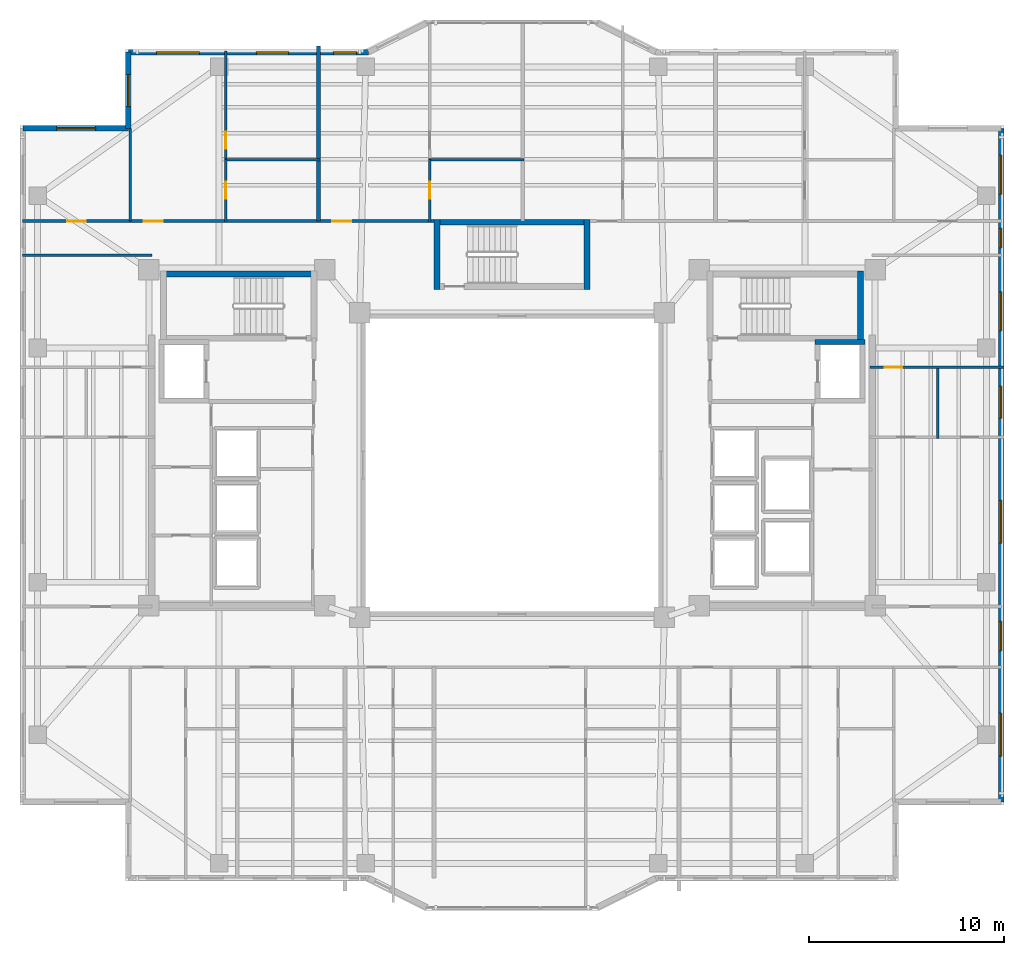
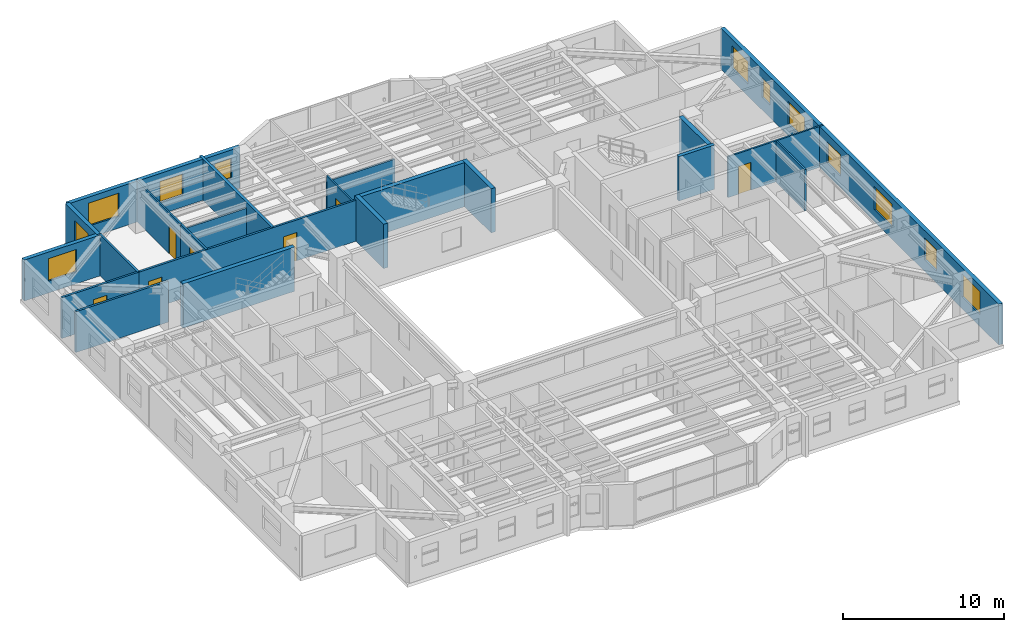
# One storey, part 10 of 16: 22 walls, 12 windows, 7 doors, 19 openings.
"""IFC4 building model written with IfcOpenShell, lengths in metres."""

from ifc_helpers import new_model, si_unit, direction, frame, frame_2d, origin, place, context, subcontext, project, spatial, rectangle, extrude, material, layer, layer_set, type_object, element, fill, save


model = new_model("IFC4")

# Units and contexts
model_context = context("Model", 3, precision=1e-05, world=origin(), true_north=direction((0.0, 1.0)))
body_context = subcontext(model_context, "Body", "Model", "MODEL_VIEW")
ifc_project = project(units=[si_unit("LENGTHUNIT", "METRE"), si_unit("AREAUNIT", "SQUARE_METRE"), si_unit("VOLUMEUNIT", "CUBIC_METRE"), si_unit("PLANEANGLEUNIT", "RADIAN"), si_unit("MASSUNIT", "GRAM", prefix="KILO")], contexts=[model_context])

# Site, building, storey
site_placement = place(None, origin())
site = spatial("IfcSite", under=ifc_project, at=site_placement, CompositionType="ELEMENT")
building_placement = place(site_placement, origin())
building = spatial("IfcBuilding", under=site, at=building_placement, Name="Tarnavaz Court Tower", CompositionType="ELEMENT")
storey_placement = place(building_placement, frame((0.0, 0.0, 135.949951171875)))
storey = spatial("IfcBuildingStorey", under=building, at=storey_placement, Name="L36", CompositionType="ELEMENT", Elevation=135.949951171875)

# Walls
ifc_material_1 = material(Name="Concrete C50/60", Category="concrete")
ifc_layer_1 = layer(ifc_material_1, 0.25)
ifc_layer_set_1 = layer_set([ifc_layer_1], Name="Concrete C50/60")
wall_type_1 = type_object("IfcWallType", Name="WL-CORE-250-C50", PredefinedType="SHEAR", material=ifc_layer_set_1)
wall_1_placement = place(storey_placement, frame((15.52490234375, 6.300048828125, 0.0), z_axis=(0.0, 0.0, 1.0), x_axis=(1.0, 0.0, 0.0)))
element("IfcWall", 1, at=wall_1_placement, inside=storey, type_object=wall_type_1, Name="L36 Lift FL-E1 Shaft Wall 036", PredefinedType="SHEAR", context=body_context, shape_type="SweptSolid", body=[
    extrude(rectangle(XDim=2.550048828125, YDim=0.25, at=frame_2d((1.27490234375, 0.0))), origin(), (0.0, 0.0, 1.0), 3.35009765625),
])
ifc_layer_2 = layer(ifc_material_1, 0.300048828125)
ifc_layer_set_2 = layer_set([ifc_layer_2], Name="Concrete C50/60")
wall_type_2 = type_object("IfcWallType", Name="WL-CORE-300-C50", PredefinedType="SHEAR", material=ifc_layer_set_2)
wall_2_placement = place(storey_placement, frame((-18.0, 9.7900390625, 0.0), z_axis=(0.0, 0.0, 1.0), x_axis=(1.0, 0.0, 0.0)))
element("IfcWall", 2, at=wall_2_placement, inside=storey, type_object=wall_type_2, Name="L36 West Stair Core Wall 001", PredefinedType="SHEAR", context=body_context, shape_type="SweptSolid", body=[
    extrude(rectangle(XDim=8.0, YDim=0.300048828125, at=frame_2d((4.0, 0.0))), origin(), (0.0, 0.0, 1.0), 3.35009765625),
])
wall_3_placement = place(storey_placement, frame((17.85009765625, 6.35009765625, 0.0), z_axis=(0.0, 0.0, 1.0), x_axis=(0.0, 1.0, 0.0)))
element("IfcWall", 3, at=wall_3_placement, inside=storey, type_object=wall_type_2, Name="L36 East Stair Core Wall 008", PredefinedType="SHEAR", context=body_context, shape_type="SweptSolid", body=[
    extrude(rectangle(XDim=3.58984375, YDim=0.300048828125, at=frame_2d((1.794921875, 0.0))), origin(), (0.0, 0.0, 1.0), 3.35009765625),
])
wall_4_placement = place(storey_placement, frame((-4.0, 12.43994140625, 0.0), z_axis=(0.0, 0.0, 1.0), x_axis=(1.0, 0.0, 0.0)))
element("IfcWall", 4, at=wall_4_placement, inside=storey, type_object=wall_type_2, Name="L36 North Stair Core Wall 009", PredefinedType="SHEAR", context=body_context, shape_type="SweptSolid", body=[
    extrude(rectangle(XDim=8.0, YDim=0.300048828125, at=frame_2d((4.0, 0.0))), origin(), (0.0, 0.0, 1.0), 3.35009765625),
])
for number, where, z_axis, x_axis, name in (
    (5, (-3.85009765625, 9.0, 0.0), (0.0, 0.0, 1.0), (0.0, 1.0, 0.0), "L36 North Stair Core Wall 011"),
    (6, (3.85009765625, 9.0, 0.0), (0.0, 0.0, 1.0), (0.0, 1.0, 0.0), "L36 North Stair Core Wall 012"),
):
    element("IfcWall", number, at=place(storey_placement, frame(where, z_axis=z_axis, x_axis=x_axis)), inside=storey, type_object=wall_type_2, Name=name, PredefinedType="SHEAR", context=body_context, shape_type="SweptSolid", body=[
        extrude(rectangle(XDim=3.590087890625, YDim=0.300048828125, at=frame_2d((1.794921875, 0.0))), origin(), (0.0, 0.0, 1.0), 3.35009765625),
    ])

# Wall, opening, window
ifc_material_2 = material(Name="Precast Concrete C40/50", Category="concrete")
ifc_layer_3 = layer(ifc_material_2, 0.280029296875)
ifc_layer_set_3 = layer_set([ifc_layer_3], Name="Precast Concrete C40/50")
wall_type_3 = type_object("IfcWallType", Name="WL-EXT-280", PredefinedType="SOLIDWALL", material=ifc_layer_set_3)
wall_5_placement = place(storey_placement, frame((-25.050048828125, 17.25, 0.0), z_axis=(0.0, 0.0, 1.0), x_axis=(1.0, 0.0, 0.0)))
wall_5 = element("IfcWall", 7, at=wall_5_placement, inside=storey, type_object=wall_type_3, Name="L36 Exterior Terracotta Facade Wall 03", PredefinedType="SOLIDWALL", context=body_context, shape_type="SweptSolid", body=[
    extrude(rectangle(XDim=5.400146484375, YDim=0.280029296875, at=frame_2d((2.7001953125, 0.0))), origin(), (0.0, 0.0, 1.0), 3.10009765625),
])
opening_1_placement = place(wall_5_placement, frame((1.72509765625, 0.0, 0.89990234375)))
opening_1 = element("IfcOpeningElement", 8, at=opening_1_placement, cuts=wall_5, Name="Opening W08", PredefinedType="OPENING", context=body_context, shape_type="SweptSolid", body=[
    extrude(rectangle(XDim=2.0, YDim=1.699951171875, at=frame_2d((1.0, 0.85009765625))), frame((0.0, 0.14990234375, 0.0), z_axis=(0.0, -1.0, 0.0), x_axis=(1.0, 0.0, 0.0)), (0.0, 0.0, 1.0), 0.300048828125),
])
ifc_material_3 = material(Name="Double-Glazed Solar Low-E Glass", Category="glass")
window_type_1 = type_object("IfcWindowType", Name="WN-APT-2000", PartitioningType="DOUBLE_PANEL_VERTICAL", PredefinedType="WINDOW", material=ifc_material_3)
window_1_placement = place(opening_1_placement, origin())
window_1 = element("IfcWindow", 9, at=window_1_placement, inside=storey, type_object=window_type_1, Name="L36 North-West Corner Sunroom Study Window", OverallHeight=1.699951171875, OverallWidth=2.0, PartitioningType="SINGLE_PANEL", PredefinedType="WINDOW", context=body_context, shape_type="SweptSolid", body=[
    extrude(rectangle(XDim=2.0, YDim=1.699951171875, at=frame_2d((1.0, 0.85009765625))), frame((0.0, 0.030029296875, 0.0), z_axis=(0.0, -1.0, 0.0), x_axis=(1.0, 0.0, 0.0)), (0.0, 0.0, 1.0), 0.06005859375),
])
fill(opening_1, window_1)

wall_6_placement = place(storey_placement, frame((-19.64990234375, 17.25, 0.0), z_axis=(0.0, 0.0, 1.0), x_axis=(0.0, 1.0, 0.0)))
wall_6 = element("IfcWall", 10, at=wall_6_placement, inside=storey, type_object=wall_type_3, Name="L36 Exterior Terracotta Facade Wall 04", PredefinedType="SOLIDWALL", context=body_context, shape_type="SweptSolid", body=[
    extrude(rectangle(XDim=3.89990234375, YDim=0.280029296875, at=frame_2d((1.949951171875, 0.0))), origin(), (0.0, 0.0, 1.0), 3.10009765625),
])
opening_2_placement = place(wall_6_placement, frame((1.107177734375, 0.0, 0.89990234375)))
opening_2 = element("IfcOpeningElement", 11, at=opening_2_placement, cuts=wall_6, Name="Opening W02", PredefinedType="OPENING", context=body_context, shape_type="SweptSolid", body=[
    extrude(rectangle(XDim=1.64990234375, YDim=1.60009765625, at=frame_2d((0.824951171875, 0.800048828125))), frame((0.0, 0.14990234375, 0.0), z_axis=(0.0, -1.0, 0.0), x_axis=(1.0, 0.0, 0.0)), (0.0, 0.0, 1.0), 0.300048828125),
])
window_type_2 = type_object("IfcWindowType", Name="WN-APT-1650", PartitioningType="DOUBLE_PANEL_VERTICAL", PredefinedType="WINDOW", material=ifc_material_3)
window_2_placement = place(opening_2_placement, origin())
window_2 = element("IfcWindow", 12, at=window_2_placement, inside=storey, type_object=window_type_2, Name="L36 Flat 01 Studio Living and Sleeping Room Window", OverallHeight=1.60009765625, OverallWidth=1.64990234375, PartitioningType="SINGLE_PANEL", PredefinedType="WINDOW", context=body_context, shape_type="SweptSolid", body=[
    extrude(rectangle(XDim=1.64990234375, YDim=1.60009765625, at=frame_2d((0.824951171875, 0.800048828125))), frame((0.0, 0.030029296875, 0.0), z_axis=(0.0, -1.0, 0.0), x_axis=(1.0, 0.0, 0.0)), (0.0, 0.0, 1.0), 0.06005859375),
])
fill(opening_2, window_2)

# Wall, openings, windows
wall_7_placement = place(storey_placement, frame((-19.64990234375, 21.14990234375, 0.0), z_axis=(0.0, 0.0, 1.0), x_axis=(1.0, 0.0, 0.0)))
wall_7 = element("IfcWall", 13, at=wall_7_placement, inside=storey, type_object=wall_type_3, Name="L36 Exterior Terracotta Facade Wall 05", PredefinedType="SOLIDWALL", context=body_context, shape_type="SweptSolid", body=[
    extrude(rectangle(XDim=12.2998046875, YDim=0.280029296875, at=frame_2d((6.14990234375, 0.0))), origin(), (0.0, 0.0, 1.0), 3.10009765625),
])
opening_3_placement = place(wall_7_placement, frame((1.435302734375, 0.0, 0.89990234375)))
opening_3 = element("IfcOpeningElement", 14, at=opening_3_placement, cuts=wall_7, Name="Opening W07", PredefinedType="OPENING", context=body_context, shape_type="SweptSolid", body=[
    extrude(rectangle(XDim=2.199951171875, YDim=1.75, at=frame_2d((1.10009765625, 0.875))), frame((0.0, 0.14990234375, 0.0), z_axis=(0.0, -1.0, 0.0), x_axis=(1.0, 0.0, 0.0)), (0.0, 0.0, 1.0), 0.300048828125),
])
opening_4_placement = place(wall_7_placement, frame((6.554931640625, 0.0, 0.89990234375)))
opening_4 = element("IfcOpeningElement", 15, at=opening_4_placement, cuts=wall_7, Name="Opening W02", PredefinedType="OPENING", context=body_context, shape_type="SweptSolid", body=[
    extrude(rectangle(XDim=1.64990234375, YDim=1.60009765625, at=frame_2d((0.824951171875, 0.800048828125))), frame((0.0, 0.14990234375, 0.0), z_axis=(0.0, -1.0, 0.0), x_axis=(1.0, 0.0, 0.0)), (0.0, 0.0, 1.0), 0.300048828125),
])
opening_5_placement = place(wall_7_placement, frame((10.4951171875, 0.0, 0.949951171875)))
opening_5 = element("IfcOpeningElement", 16, at=opening_5_placement, cuts=wall_7, Name="Opening W05", PredefinedType="OPENING", context=body_context, shape_type="SweptSolid", body=[
    extrude(rectangle(XDim=1.199951171875, YDim=1.5, at=frame_2d((0.60009765625, 0.75))), frame((0.0, 0.14990234375, 0.0), z_axis=(0.0, -1.0, 0.0), x_axis=(1.0, 0.0, 0.0)), (0.0, 0.0, 1.0), 0.300048828125),
])
window_type_3 = type_object("IfcWindowType", Name="WN-APT-1200", PartitioningType="SINGLE_PANEL", PredefinedType="WINDOW", material=ifc_material_3)
window_3_placement = place(opening_5_placement, origin())
window_3 = element("IfcWindow", 17, at=window_3_placement, inside=storey, type_object=window_type_3, Name="L36 Flat 02 Studio Living and Sleeping Room Window", OverallHeight=1.5, OverallWidth=1.199951171875, PartitioningType="SINGLE_PANEL", PredefinedType="WINDOW", context=body_context, shape_type="SweptSolid", body=[
    extrude(rectangle(XDim=1.199951171875, YDim=1.5, at=frame_2d((0.60009765625, 0.75))), frame((0.0, 0.030029296875, 0.0), z_axis=(0.0, -1.0, 0.0), x_axis=(1.0, 0.0, 0.0)), (0.0, 0.0, 1.0), 0.06005859375),
])
fill(opening_5, window_3)
window_4_placement = place(opening_4_placement, origin())
window_4 = element("IfcWindow", 18, at=window_4_placement, inside=storey, type_object=window_type_2, Name="L36 Flat 01 Kitchen Window", OverallHeight=1.60009765625, OverallWidth=1.64990234375, PartitioningType="SINGLE_PANEL", PredefinedType="WINDOW", context=body_context, shape_type="SweptSolid", body=[
    extrude(rectangle(XDim=1.64990234375, YDim=1.60009765625, at=frame_2d((0.824951171875, 0.800048828125))), frame((0.0, 0.030029296875, 0.0), z_axis=(0.0, -1.0, 0.0), x_axis=(1.0, 0.0, 0.0)), (0.0, 0.0, 1.0), 0.06005859375),
])
fill(opening_4, window_4)
window_type_4 = type_object("IfcWindowType", Name="WN-APT-2200", PartitioningType="TRIPLE_PANEL_VERTICAL", PredefinedType="WINDOW", material=ifc_material_3)
window_5_placement = place(opening_3_placement, origin())
window_5 = element("IfcWindow", 19, at=window_5_placement, inside=storey, type_object=window_type_4, Name="L36 Flat 01 Studio Living and Sleeping Room Window", OverallHeight=1.75, OverallWidth=2.199951171875, PartitioningType="SINGLE_PANEL", PredefinedType="WINDOW", context=body_context, shape_type="SweptSolid", body=[
    extrude(rectangle(XDim=2.199951171875, YDim=1.75, at=frame_2d((1.10009765625, 0.875))), frame((0.0, 0.030029296875, 0.0), z_axis=(0.0, -1.0, 0.0), x_axis=(1.0, 0.0, 0.0)), (0.0, 0.0, 1.0), 0.06005859375),
])
fill(opening_3, window_5)

wall_8_placement = place(storey_placement, frame((25.050048828125, 17.25, 0.0), z_axis=(0.0, 0.0, 1.0), x_axis=(0.0, -1.0, 0.0)))
wall_8 = element("IfcWall", 20, at=wall_8_placement, inside=storey, type_object=wall_type_3, Name="L36 Exterior Terracotta Facade Wall 12", PredefinedType="SOLIDWALL", context=body_context, shape_type="SweptSolid", body=[
    extrude(rectangle(XDim=34.5, YDim=0.280029296875, at=frame_2d((17.25, 0.0))), origin(), (0.0, 0.0, 1.0), 3.10009765625),
])
opening_6_placement = place(wall_8_placement, frame((1.375, 0.0, 0.89990234375)))
opening_6 = element("IfcOpeningElement", 21, at=opening_6_placement, cuts=wall_8, Name="Opening W08", PredefinedType="OPENING", context=body_context, shape_type="SweptSolid", body=[
    extrude(rectangle(XDim=2.0, YDim=1.699951171875, at=frame_2d((1.0, 0.85009765625))), frame((0.0, 0.14990234375, 0.0), z_axis=(0.0, -1.0, 0.0), x_axis=(1.0, 0.0, 0.0)), (0.0, 0.0, 1.0), 0.300048828125),
])
opening_7_placement = place(wall_8_placement, frame((5.125, 0.0, 0.949951171875)))
opening_7 = element("IfcOpeningElement", 22, at=opening_7_placement, cuts=wall_8, Name="Opening W14", PredefinedType="OPENING", context=body_context, shape_type="SweptSolid", body=[
    extrude(rectangle(XDim=1.0, YDim=1.5, at=frame_2d((0.5, 0.75))), frame((0.0, 0.14990234375, 0.0), z_axis=(0.0, -1.0, 0.0), x_axis=(1.0, 0.0, 0.0)), (0.0, 0.0, 1.0), 0.300048828125),
])
opening_8_placement = place(wall_8_placement, frame((8.375, 0.0, 0.89990234375)))
opening_8 = element("IfcOpeningElement", 23, at=opening_8_placement, cuts=wall_8, Name="Opening W08", PredefinedType="OPENING", context=body_context, shape_type="SweptSolid", body=[
    extrude(rectangle(XDim=2.0, YDim=1.699951171875, at=frame_2d((1.0, 0.85009765625))), frame((0.0, 0.14990234375, 0.0), z_axis=(0.0, -1.0, 0.0), x_axis=(1.0, 0.0, 0.0)), (0.0, 0.0, 1.0), 0.300048828125),
])
opening_9_placement = place(wall_8_placement, frame((13.199951171875, 0.0, 0.89990234375)))
opening_9 = element("IfcOpeningElement", 24, at=opening_9_placement, cuts=wall_8, Name="Opening W02", PredefinedType="OPENING", context=body_context, shape_type="SweptSolid", body=[
    extrude(rectangle(XDim=1.64990234375, YDim=1.60009765625, at=frame_2d((0.824951171875, 0.800048828125))), frame((0.0, 0.14990234375, 0.0), z_axis=(0.0, -1.0, 0.0), x_axis=(1.0, 0.0, 0.0)), (0.0, 0.0, 1.0), 0.300048828125),
])
opening_10_placement = place(wall_8_placement, frame((19.050048828125, 0.0, 0.89990234375)))
opening_10 = element("IfcOpeningElement", 25, at=opening_10_placement, cuts=wall_8, Name="Opening W07", PredefinedType="OPENING", context=body_context, shape_type="SweptSolid", body=[
    extrude(rectangle(XDim=2.199951171875, YDim=1.75, at=frame_2d((1.10009765625, 0.875))), frame((0.0, 0.14990234375, 0.0), z_axis=(0.0, -1.0, 0.0), x_axis=(1.0, 0.0, 0.0)), (0.0, 0.0, 1.0), 0.300048828125),
])
opening_11_placement = place(wall_8_placement, frame((25.257568359375, 0.0, 0.89990234375)))
opening_11 = element("IfcOpeningElement", 26, at=opening_11_placement, cuts=wall_8, Name="Opening W03", PredefinedType="OPENING", context=body_context, shape_type="SweptSolid", body=[
    extrude(rectangle(XDim=1.5, YDim=1.64990234375, at=frame_2d((0.75, 0.824951171875))), frame((0.0, 0.14990234375, 0.0), z_axis=(0.0, -1.0, 0.0), x_axis=(1.0, 0.0, 0.0)), (0.0, 0.0, 1.0), 0.300048828125),
])
opening_12_placement = place(wall_8_placement, frame((29.949951171875, 0.0, 0.89990234375)))
opening_12 = element("IfcOpeningElement", 27, at=opening_12_placement, cuts=wall_8, Name="Opening W07", PredefinedType="OPENING", context=body_context, shape_type="SweptSolid", body=[
    extrude(rectangle(XDim=2.199951171875, YDim=1.75, at=frame_2d((1.10009765625, 0.875))), frame((0.0, 0.14990234375, 0.0), z_axis=(0.0, -1.0, 0.0), x_axis=(1.0, 0.0, 0.0)), (0.0, 0.0, 1.0), 0.300048828125),
])
window_type_5 = type_object("IfcWindowType", Name="WN-APT-1000", PartitioningType="SINGLE_PANEL", PredefinedType="WINDOW", material=ifc_material_3)
window_6_placement = place(opening_7_placement, origin())
window_6 = element("IfcWindow", 28, at=window_6_placement, inside=storey, type_object=window_type_5, Name="L36 North-East Corner Corridor Window", OverallHeight=1.5, OverallWidth=1.0, PartitioningType="SINGLE_PANEL", PredefinedType="WINDOW", context=body_context, shape_type="SweptSolid", body=[
    extrude(rectangle(XDim=1.0, YDim=1.5, at=frame_2d((0.5, 0.75))), frame((0.0, 0.030029296875, 0.0), z_axis=(0.0, -1.0, 0.0), x_axis=(1.0, 0.0, 0.0)), (0.0, 0.0, 1.0), 0.06005859375),
])
fill(opening_7, window_6)
window_type_6 = type_object("IfcWindowType", Name="WN-APT-1500", PartitioningType="DOUBLE_PANEL_VERTICAL", PredefinedType="WINDOW", material=ifc_material_3)
window_7_placement = place(opening_11_placement, origin())
window_7 = element("IfcWindow", 29, at=window_7_placement, inside=storey, type_object=window_type_6, Name="L36 South-East Corner Corridor Window", OverallHeight=1.64990234375, OverallWidth=1.5, PartitioningType="SINGLE_PANEL", PredefinedType="WINDOW", context=body_context, shape_type="SweptSolid", body=[
    extrude(rectangle(XDim=1.5, YDim=1.64990234375, at=frame_2d((0.75, 0.824951171875))), frame((0.0, 0.030029296875, 0.0), z_axis=(0.0, -1.0, 0.0), x_axis=(1.0, 0.0, 0.0)), (0.0, 0.0, 1.0), 0.06005859375),
])
fill(opening_11, window_7)
window_8_placement = place(opening_9_placement, origin())
window_8 = element("IfcWindow", 30, at=window_8_placement, inside=storey, type_object=window_type_2, Name="L36 Flat 12 Bathroom Window", OverallHeight=1.60009765625, OverallWidth=1.64990234375, PartitioningType="SINGLE_PANEL", PredefinedType="WINDOW", context=body_context, shape_type="SweptSolid", body=[
    extrude(rectangle(XDim=1.64990234375, YDim=1.60009765625, at=frame_2d((0.824951171875, 0.800048828125))), frame((0.0, 0.030029296875, 0.0), z_axis=(0.0, -1.0, 0.0), x_axis=(1.0, 0.0, 0.0)), (0.0, 0.0, 1.0), 0.06005859375),
])
fill(opening_9, window_8)
window_9_placement = place(opening_6_placement, origin())
window_9 = element("IfcWindow", 31, at=window_9_placement, inside=storey, type_object=window_type_1, Name="L36 North-East Corner Sunroom Study Window", OverallHeight=1.699951171875, OverallWidth=2.0, PartitioningType="SINGLE_PANEL", PredefinedType="WINDOW", context=body_context, shape_type="SweptSolid", body=[
    extrude(rectangle(XDim=2.0, YDim=1.699951171875, at=frame_2d((1.0, 0.85009765625))), frame((0.0, 0.030029296875, 0.0), z_axis=(0.0, -1.0, 0.0), x_axis=(1.0, 0.0, 0.0)), (0.0, 0.0, 1.0), 0.06005859375),
])
fill(opening_6, window_9)
window_10_placement = place(opening_8_placement, origin())
window_10 = element("IfcWindow", 32, at=window_10_placement, inside=storey, type_object=window_type_1, Name="L36 Flat 12 Study Room Window", OverallHeight=1.699951171875, OverallWidth=2.0, PartitioningType="SINGLE_PANEL", PredefinedType="WINDOW", context=body_context, shape_type="SweptSolid", body=[
    extrude(rectangle(XDim=2.0, YDim=1.699951171875, at=frame_2d((1.0, 0.85009765625))), frame((0.0, 0.030029296875, 0.0), z_axis=(0.0, -1.0, 0.0), x_axis=(1.0, 0.0, 0.0)), (0.0, 0.0, 1.0), 0.06005859375),
])
fill(opening_8, window_10)
window_11_placement = place(opening_10_placement, origin())
window_11 = element("IfcWindow", 33, at=window_11_placement, inside=storey, type_object=window_type_4, Name="L36 Flat 12 Studio Living and Sleeping Room Window", OverallHeight=1.75, OverallWidth=2.199951171875, PartitioningType="SINGLE_PANEL", PredefinedType="WINDOW", context=body_context, shape_type="SweptSolid", body=[
    extrude(rectangle(XDim=2.199951171875, YDim=1.75, at=frame_2d((1.10009765625, 0.875))), frame((0.0, 0.030029296875, 0.0), z_axis=(0.0, -1.0, 0.0), x_axis=(1.0, 0.0, 0.0)), (0.0, 0.0, 1.0), 0.06005859375),
])
fill(opening_10, window_11)
window_12_placement = place(opening_12_placement, origin())
window_12 = element("IfcWindow", 34, at=window_12_placement, inside=storey, type_object=window_type_4, Name="L36 South-East Corner Reading Room Window", OverallHeight=1.75, OverallWidth=2.199951171875, PartitioningType="SINGLE_PANEL", PredefinedType="WINDOW", context=body_context, shape_type="SweptSolid", body=[
    extrude(rectangle(XDim=2.199951171875, YDim=1.75, at=frame_2d((1.10009765625, 0.875))), frame((0.0, 0.030029296875, 0.0), z_axis=(0.0, -1.0, 0.0), x_axis=(1.0, 0.0, 0.0)), (0.0, 0.0, 1.0), 0.06005859375),
])
fill(opening_12, window_12)

# Wall, openings, doors
ifc_material_4 = material(Name="Gypsum Fire-Board on Acoustic Metal Stud", Category="masonry")
ifc_layer_4 = layer(ifc_material_4, 0.14990234375)
ifc_layer_set_4 = layer_set([ifc_layer_4], Name="Gypsum Fire-Board on Acoustic Metal Stud")
wall_type_4 = type_object("IfcWallType", Name="WL-FIRE-150", PredefinedType="PARTITIONING", material=ifc_layer_set_4)
wall_9_placement = place(storey_placement, frame((-19.550048828125, 12.5, 0.0), z_axis=(0.0, 0.0, 1.0), x_axis=(1.0, 0.0, 0.0)))
wall_9 = element("IfcWall", 35, at=wall_9_placement, inside=storey, type_object=wall_type_4, Name="L36 NW Wing Corridor Wall 072", PredefinedType="PARTITIONING", context=body_context, shape_type="SweptSolid", body=[
    extrude(rectangle(XDim=15.699951171875, YDim=0.14990234375, at=frame_2d((7.85009765625, 0.0))), origin(), (0.0, 0.0, 1.0), 3.10009765625),
])
opening_13_placement = place(wall_9_placement, frame((0.699951171875, 0.0, 0.0)))
opening_13 = element("IfcOpeningElement", 36, at=opening_13_placement, cuts=wall_9, Name="Opening D06", PredefinedType="OPENING", context=body_context, shape_type="SweptSolid", body=[
    extrude(rectangle(XDim=0.9599609375, YDim=2.14990234375, at=frame_2d((0.47998046875, 1.074951171875))), frame((0.0, 0.0849609375, 0.0), z_axis=(0.0, -1.0, 0.0), x_axis=(1.0, 0.0, 0.0)), (0.0, 0.0, 1.0), 0.169921875),
])
opening_14_placement = place(wall_9_placement, frame((10.347900390625, 0.0, 0.0)))
opening_14 = element("IfcOpeningElement", 37, at=opening_14_placement, cuts=wall_9, Name="Opening D06", PredefinedType="OPENING", context=body_context, shape_type="SweptSolid", body=[
    extrude(rectangle(XDim=0.9599609375, YDim=2.14990234375, at=frame_2d((0.47998046875, 1.074951171875))), frame((0.0, 0.0849609375, 0.0), z_axis=(0.0, -1.0, 0.0), x_axis=(1.0, 0.0, 0.0)), (0.0, 0.0, 1.0), 0.169921875),
])
ifc_material_5 = material(Name="Fire-Rated Hardwood Timber Core", Category="wood")
door_type_1 = type_object("IfcDoorType", Name="DR-FD60-950", OperationType="NOTDEFINED", PredefinedType="DOOR", material=ifc_material_5)
door_1_placement = place(opening_13_placement, origin())
door_1 = element("IfcDoor", 38, at=door_1_placement, inside=storey, type_object=door_type_1, Name="L36 Flat 01 Entrance Door", OperationType="SINGLE_SWING_RIGHT", OverallHeight=2.14990234375, OverallWidth=0.9599609375, PredefinedType="DOOR", context=body_context, shape_type="SweptSolid", body=[
    extrude(rectangle(XDim=0.9599609375, YDim=2.14990234375, at=frame_2d((0.47998046875, 1.074951171875))), frame((0.0, 0.02490234375, 0.0), z_axis=(0.0, -1.0, 0.0), x_axis=(1.0, 0.0, 0.0)), (0.0, 0.0, 1.0), 0.050048828125),
])
fill(opening_13, door_1)
door_2_placement = place(opening_14_placement, origin())
door_2 = element("IfcDoor", 39, at=door_2_placement, inside=storey, type_object=door_type_1, Name="L36 Flat 02 Entrance Door", OperationType="SINGLE_SWING_LEFT", OverallHeight=2.14990234375, OverallWidth=0.9599609375, PredefinedType="DOOR", context=body_context, shape_type="SweptSolid", body=[
    extrude(rectangle(XDim=0.9599609375, YDim=2.14990234375, at=frame_2d((0.47998046875, 1.074951171875))), frame((0.0, 0.02490234375, 0.0), z_axis=(0.0, -1.0, 0.0), x_axis=(1.0, 0.0, 0.0)), (0.0, 0.0, 1.0), 0.050048828125),
])
fill(opening_14, door_2)

# Wall
wall_10_placement = place(storey_placement, frame((-25.080078125, 10.75, 0.0), z_axis=(0.0, 0.0, 1.0), x_axis=(1.0, 0.0, 0.0)))
element("IfcWall", 40, at=wall_10_placement, inside=storey, type_object=wall_type_4, Name="L36 Interior Partition 116", PredefinedType="PARTITIONING", context=body_context, shape_type="SweptSolid", body=[
    extrude(rectangle(XDim=6.630126953125, YDim=0.14990234375, at=frame_2d((3.31494140625, 0.0))), origin(), (0.0, 0.0, 1.0), 3.10009765625),
])

# Wall, opening, door
wall_11_placement = place(storey_placement, frame((-25.080078125, 12.5, 0.0), z_axis=(0.0, 0.0, 1.0), x_axis=(1.0, 0.0, 0.0)))
wall_11 = element("IfcWall", 41, at=wall_11_placement, inside=storey, type_object=wall_type_4, Name="L36 Interior Partition 123", PredefinedType="PARTITIONING", context=body_context, shape_type="SweptSolid", body=[
    extrude(rectangle(XDim=5.530029296875, YDim=0.14990234375, at=frame_2d((2.76513671875, 0.0))), origin(), (0.0, 0.0, 1.0), 3.10009765625),
])
opening_15_placement = place(wall_11_placement, frame((2.2900390625, 0.0, 0.0)))
opening_15 = element("IfcOpeningElement", 42, at=opening_15_placement, cuts=wall_11, Name="Opening D13", PredefinedType="OPENING", context=body_context, shape_type="SweptSolid", body=[
    extrude(rectangle(XDim=0.949951171875, YDim=2.14990234375, at=frame_2d((0.47509765625, 1.074951171875))), frame((0.0, 0.0849609375, 0.0), z_axis=(0.0, -1.0, 0.0), x_axis=(1.0, 0.0, 0.0)), (0.0, 0.0, 1.0), 0.169921875),
])
ifc_material_6 = material(Name="Engineered Oak Timber", Category="wood")
door_type_2 = type_object("IfcDoorType", Name="DR-INT-950", OperationType="NOTDEFINED", PredefinedType="DOOR", material=ifc_material_6)
door_3_placement = place(opening_15_placement, origin())
door_3 = element("IfcDoor", 43, at=door_3_placement, inside=storey, type_object=door_type_2, Name="L36 NW Sunroom Door", OperationType="SINGLE_SWING_RIGHT", OverallHeight=2.14990234375, OverallWidth=0.949951171875, PredefinedType="DOOR", context=body_context, shape_type="SweptSolid", body=[
    extrude(rectangle(XDim=0.949951171875, YDim=2.14990234375, at=frame_2d((0.47509765625, 1.074951171875))), frame((0.0, 0.02490234375, 0.0), z_axis=(0.0, -1.0, 0.0), x_axis=(1.0, 0.0, 0.0)), (0.0, 0.0, 1.0), 0.050048828125),
])
fill(opening_15, door_3)

# Wall
ifc_material_7 = material(Name="Autoclaved Aerated Concrete Blockwork", Category="masonry")
ifc_layer_5 = layer(ifc_material_7, 0.199951171875)
ifc_layer_set_5 = layer_set([ifc_layer_5], Name="Autoclaved Aerated Concrete Blockwork")
wall_type_5 = type_object("IfcWallType", Name="WL-FIRE-200", PredefinedType="SOLIDWALL", material=ifc_layer_set_5)
wall_12_placement = place(storey_placement, frame((-9.902099609375, 12.5, 0.0), z_axis=(0.0, 0.0, 1.0), x_axis=(0.0, 1.0, 0.0)))
element("IfcWall", 44, at=wall_12_placement, inside=storey, type_object=wall_type_5, Name="L36 Party Wall 077", PredefinedType="SOLIDWALL", context=body_context, shape_type="SweptSolid", body=[
    extrude(rectangle(XDim=8.970947265625, YDim=0.199951171875, at=frame_2d((4.4853515625, 0.0))), origin(), (0.0, 0.0, 1.0), 3.10009765625),
])

# Wall, opening, door
ifc_material_8 = material(Name="Moisture-Resistant Gypsum Board Partition", Category="masonry")
ifc_layer_6 = layer(ifc_material_8, 0.1201171875)
ifc_layer_set_6 = layer_set([ifc_layer_6], Name="Moisture-Resistant Gypsum Board Partition")
wall_type_6 = type_object("IfcWallType", Name="WL-PART-120", PredefinedType="PARTITIONING", material=ifc_layer_set_6)
wall_13_placement = place(storey_placement, frame((-14.662109375, 12.43994140625, 0.0), z_axis=(0.0, 0.0, 1.0), x_axis=(0.0, 1.0, 0.0)))
wall_13 = element("IfcWall", 45, at=wall_13_placement, inside=storey, type_object=wall_type_6, Name="L36 Interior Partition 078", PredefinedType="PARTITIONING", context=body_context, shape_type="SweptSolid", body=[
    extrude(rectangle(XDim=3.2099609375, YDim=0.1201171875, at=frame_2d((1.60498046875, 0.0))), origin(), (0.0, 0.0, 1.0), 3.10009765625),
])
opening_16_placement = place(wall_13_placement, frame((1.195068359375, 0.0, 0.0)))
opening_16 = element("IfcOpeningElement", 46, at=opening_16_placement, cuts=wall_13, Name="Opening D14", PredefinedType="OPENING", context=body_context, shape_type="SweptSolid", body=[
    extrude(rectangle(XDim=0.8798828125, YDim=2.10009765625, at=frame_2d((0.43994140625, 1.050048828125))), frame((0.0, 0.070068359375, 0.0), z_axis=(0.0, -1.0, 0.0), x_axis=(1.0, 0.0, 0.0)), (0.0, 0.0, 1.0), 0.14013671875),
])
door_type_3 = type_object("IfcDoorType", Name="DR-INT-900", OperationType="NOTDEFINED", PredefinedType="DOOR", material=ifc_material_6)
door_4_placement = place(opening_16_placement, origin())
door_4 = element("IfcDoor", 47, at=door_4_placement, inside=storey, type_object=door_type_3, Name="L36 Flat 01 Bathroom Door", OperationType="SINGLE_SWING_LEFT", OverallHeight=2.10009765625, OverallWidth=0.8798828125, PredefinedType="DOOR", context=body_context, shape_type="SweptSolid", body=[
    extrude(rectangle(XDim=0.8798828125, YDim=2.10009765625, at=frame_2d((0.43994140625, 1.050048828125))), frame((0.0, 0.02490234375, 0.0), z_axis=(0.0, -1.0, 0.0), x_axis=(1.0, 0.0, 0.0)), (0.0, 0.0, 1.0), 0.050048828125),
])
fill(opening_16, door_4)

wall_14_placement = place(storey_placement, frame((-14.662109375, 15.64990234375, 0.0), z_axis=(0.0, 0.0, 1.0), x_axis=(0.0, 1.0, 0.0)))
wall_14 = element("IfcWall", 48, at=wall_14_placement, inside=storey, type_object=wall_type_6, Name="L36 Interior Partition 079", PredefinedType="PARTITIONING", context=body_context, shape_type="SweptSolid", body=[
    extrude(rectangle(XDim=5.550048828125, YDim=0.1201171875, at=frame_2d((2.77490234375, 0.0))), origin(), (0.0, 0.0, 1.0), 3.10009765625),
])
opening_17_placement = place(wall_14_placement, frame((0.550048828125, 0.0, 0.0)))
opening_17 = element("IfcOpeningElement", 49, at=opening_17_placement, cuts=wall_14, Name="Opening D14", PredefinedType="OPENING", context=body_context, shape_type="SweptSolid", body=[
    extrude(rectangle(XDim=0.8798828125, YDim=2.10009765625, at=frame_2d((0.43994140625, 1.050048828125))), frame((0.0, 0.070068359375, 0.0), z_axis=(0.0, -1.0, 0.0), x_axis=(1.0, 0.0, 0.0)), (0.0, 0.0, 1.0), 0.14013671875),
])
door_5_placement = place(opening_17_placement, origin())
door_5 = element("IfcDoor", 50, at=door_5_placement, inside=storey, type_object=door_type_3, Name="L36 Flat 01 Kitchen Door", OperationType="SINGLE_SWING_RIGHT", OverallHeight=2.10009765625, OverallWidth=0.8798828125, PredefinedType="DOOR", context=body_context, shape_type="SweptSolid", body=[
    extrude(rectangle(XDim=0.8798828125, YDim=2.10009765625, at=frame_2d((0.43994140625, 1.050048828125))), frame((0.0, 0.02490234375, 0.0), z_axis=(0.0, -1.0, 0.0), x_axis=(1.0, 0.0, 0.0)), (0.0, 0.0, 1.0), 0.050048828125),
])
fill(opening_17, door_5)

# Wall
wall_15_placement = place(storey_placement, frame((-14.721923828125, 15.64990234375, 0.0), z_axis=(0.0, 0.0, 1.0), x_axis=(1.0, 0.0, 0.0)))
element("IfcWall", 51, at=wall_15_placement, inside=storey, type_object=wall_type_6, Name="L36 Interior Partition 080", PredefinedType="PARTITIONING", context=body_context, shape_type="SweptSolid", body=[
    extrude(rectangle(XDim=4.8798828125, YDim=0.1201171875, at=frame_2d((2.43994140625, 0.0))), origin(), (0.0, 0.0, 1.0), 2.68505859375),
])

# Wall, opening, door
wall_16_placement = place(storey_placement, frame((-4.2099609375, 12.43994140625, 0.0), z_axis=(0.0, 0.0, 1.0), x_axis=(0.0, 1.0, 0.0)))
wall_16 = element("IfcWall", 52, at=wall_16_placement, inside=storey, type_object=wall_type_6, Name="L36 Interior Partition 081", PredefinedType="PARTITIONING", context=body_context, shape_type="SweptSolid", body=[
    extrude(rectangle(XDim=3.2099609375, YDim=0.1201171875, at=frame_2d((1.60498046875, 0.0))), origin(), (0.0, 0.0, 1.0), 3.10009765625),
])
opening_18_placement = place(wall_16_placement, frame((1.195068359375, 0.0, 0.0)))
opening_18 = element("IfcOpeningElement", 53, at=opening_18_placement, cuts=wall_16, Name="Opening D14", PredefinedType="OPENING", context=body_context, shape_type="SweptSolid", body=[
    extrude(rectangle(XDim=0.8798828125, YDim=2.10009765625, at=frame_2d((0.43994140625, 1.050048828125))), frame((0.0, 0.070068359375, 0.0), z_axis=(0.0, -1.0, 0.0), x_axis=(1.0, 0.0, 0.0)), (0.0, 0.0, 1.0), 0.14013671875),
])
door_6_placement = place(opening_18_placement, origin())
door_6 = element("IfcDoor", 54, at=door_6_placement, inside=storey, type_object=door_type_3, Name="L36 Flat 02 Bathroom Door", OperationType="SINGLE_SWING_RIGHT", OverallHeight=2.10009765625, OverallWidth=0.8798828125, PredefinedType="DOOR", context=body_context, shape_type="SweptSolid", body=[
    extrude(rectangle(XDim=0.8798828125, YDim=2.10009765625, at=frame_2d((0.43994140625, 1.050048828125))), frame((0.0, 0.02490234375, 0.0), z_axis=(0.0, -1.0, 0.0), x_axis=(1.0, 0.0, 0.0)), (0.0, 0.0, 1.0), 0.050048828125),
])
fill(opening_18, door_6)

# Wall
wall_17_placement = place(storey_placement, frame((-4.27001953125, 15.64990234375, 0.0), z_axis=(0.0, 0.0, 1.0), x_axis=(1.0, 0.0, 0.0)))
element("IfcWall", 55, at=wall_17_placement, inside=storey, type_object=wall_type_6, Name="L36 Interior Partition 083", PredefinedType="PARTITIONING", context=body_context, shape_type="SweptSolid", body=[
    extrude(rectangle(XDim=4.880126953125, YDim=0.1201171875, at=frame_2d((2.43994140625, 0.0))), origin(), (0.0, 0.0, 1.0), 2.68505859375),
])

# Wall, opening, door
wall_18_placement = place(storey_placement, frame((18.330078125, 5.02001953125, 0.0), z_axis=(0.0, 0.0, 1.0), x_axis=(1.0, 0.0, 0.0)))
wall_18 = element("IfcWall", 56, at=wall_18_placement, inside=storey, type_object=wall_type_6, Name="L36 Interior Partition 131", PredefinedType="PARTITIONING", context=body_context, shape_type="SweptSolid", body=[
    extrude(rectangle(XDim=6.869873046875, YDim=0.1201171875, at=frame_2d((3.43505859375, 0.0))), origin(), (0.0, 0.0, 1.0), 3.10009765625),
])
opening_19_placement = place(wall_18_placement, frame((0.77001953125, 0.0, 0.0)))
opening_19 = element("IfcOpeningElement", 57, at=opening_19_placement, cuts=wall_18, Name="Opening D14", PredefinedType="OPENING", context=body_context, shape_type="SweptSolid", body=[
    extrude(rectangle(XDim=0.8798828125, YDim=2.10009765625, at=frame_2d((0.43994140625, 1.050048828125))), frame((0.0, 0.070068359375, 0.0), z_axis=(0.0, -1.0, 0.0), x_axis=(1.0, 0.0, 0.0)), (0.0, 0.0, 1.0), 0.14013671875),
])
door_7_placement = place(opening_19_placement, origin())
door_7 = element("IfcDoor", 58, at=door_7_placement, inside=storey, type_object=door_type_3, Name="L36 Flat 12 Study Door", OperationType="SINGLE_SWING_LEFT", OverallHeight=2.10009765625, OverallWidth=0.8798828125, PredefinedType="DOOR", context=body_context, shape_type="SweptSolid", body=[
    extrude(rectangle(XDim=0.8798828125, YDim=2.10009765625, at=frame_2d((0.43994140625, 1.050048828125))), frame((0.0, 0.02490234375, 0.0), z_axis=(0.0, -1.0, 0.0), x_axis=(1.0, 0.0, 0.0)), (0.0, 0.0, 1.0), 0.050048828125),
])
fill(opening_19, door_7)

# Walls
wall_19_placement = place(storey_placement, frame((21.81494140625, 1.360107421875, 0.0), z_axis=(0.0, 0.0, 1.0), x_axis=(0.0, 1.0, 0.0)))
element("IfcWall", 59, at=wall_19_placement, inside=storey, type_object=wall_type_6, Name="L36 Interior Partition 132", PredefinedType="PARTITIONING", context=body_context, shape_type="SweptSolid", body=[
    extrude(rectangle(XDim=3.579833984375, YDim=0.1201171875, at=frame_2d((1.7900390625, 0.0))), origin(), (0.0, 0.0, 1.0), 3.10009765625),
])
ifc_material_9 = material(Name="Gypsum Plasterboard Acoustic Partition", Category="masonry")
ifc_layer_7 = layer(ifc_material_9, 0.139892578125)
ifc_layer_set_7 = layer_set([ifc_layer_7], Name="Gypsum Plasterboard Acoustic Partition")
wall_type_7 = type_object("IfcWallType", Name="WL-PART-150", PredefinedType="PARTITIONING", material=ifc_layer_set_7)
wall_20_placement = place(storey_placement, frame((-19.550048828125, 12.5, 0.0), z_axis=(0.0, 0.0, 1.0), x_axis=(0.0, 1.0, 0.0)))
element("IfcWall", 60, at=wall_20_placement, inside=storey, type_object=wall_type_7, Name="L36 Interior Partition 121", PredefinedType="PARTITIONING", context=body_context, shape_type="SweptSolid", body=[
    extrude(rectangle(XDim=4.75, YDim=0.139892578125, at=frame_2d((2.375, 0.0))), origin(), (0.0, 0.0, 1.0), 3.10009765625),
])

save(model, "model.ifc")
